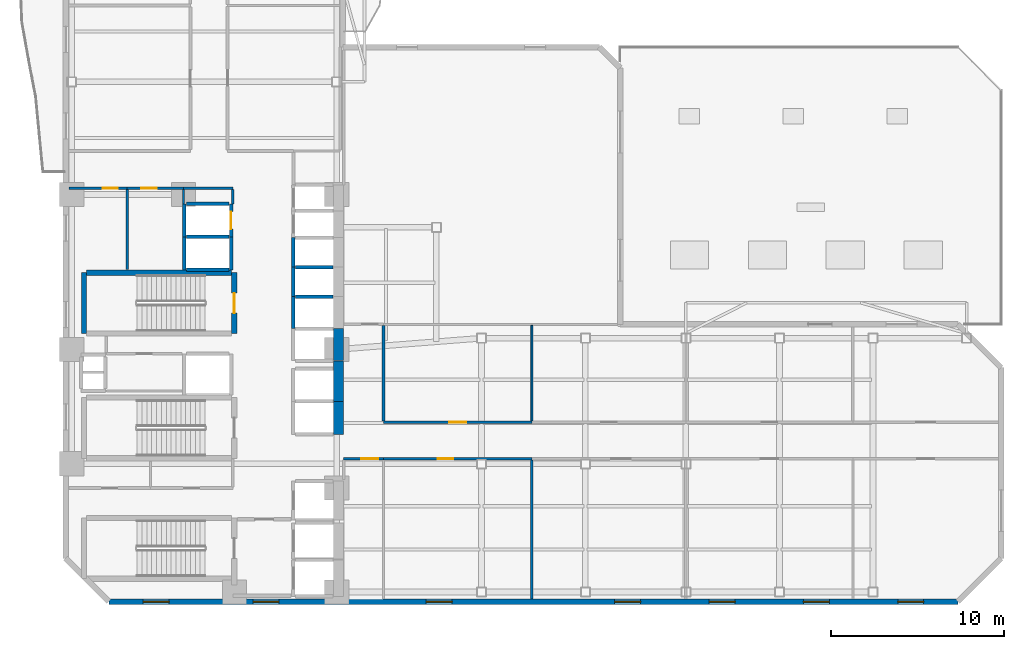
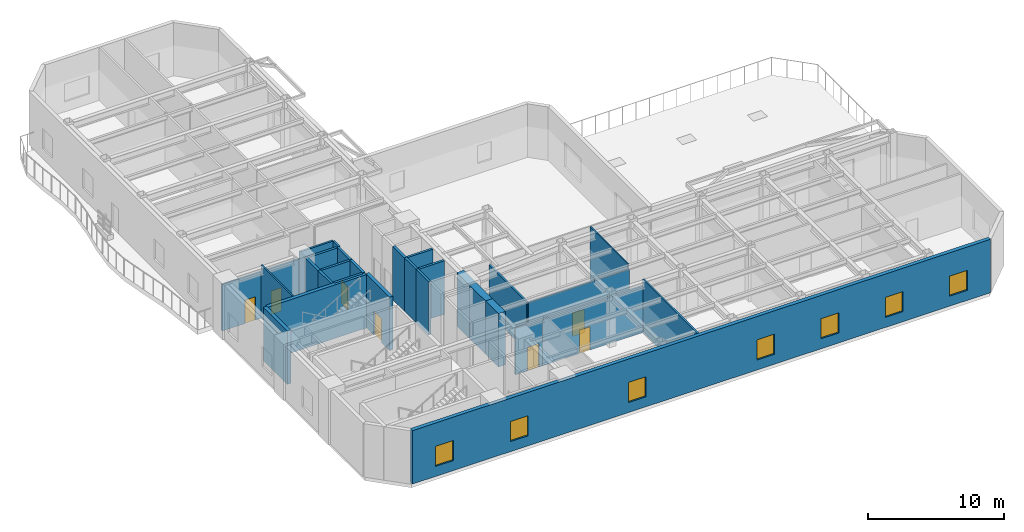
# One storey, part 4 of 10: 31 walls, 7 doors, 7 windows, 14 openings.
"""IFC4 building model written with IfcOpenShell, lengths in metres."""

from ifc_helpers import new_model, si_unit, direction, frame, frame_2d, origin, place, context, subcontext, project, spatial, rectangle, extrude, material, layer, layer_set, type_object, element, fill, save


model = new_model("IFC4")

# Units and contexts
model_context = context("Model", 3, precision=1e-05, world=origin(), true_north=direction((0.0, 1.0)))
body_context = subcontext(model_context, "Body", "Model", "MODEL_VIEW")
ifc_project = project(units=[si_unit("LENGTHUNIT", "METRE"), si_unit("AREAUNIT", "SQUARE_METRE"), si_unit("VOLUMEUNIT", "CUBIC_METRE"), si_unit("PLANEANGLEUNIT", "RADIAN"), si_unit("MASSUNIT", "GRAM", prefix="KILO")], contexts=[model_context])

# Site, building, storey
site_placement = place(None, origin())
site = spatial("IfcSite", under=ifc_project, at=site_placement, CompositionType="ELEMENT")
building_placement = place(site_placement, origin())
building = spatial("IfcBuilding", under=site, at=building_placement, Name="Mawjaban Terraces University", CompositionType="ELEMENT")
storey_placement = place(building_placement, frame((0.0, 0.0, 26.0)))
storey = spatial("IfcBuildingStorey", under=building, at=storey_placement, Name="L05", CompositionType="ELEMENT", Elevation=26.0)

# Walls
ifc_material_1 = material(Name="Concrete C70/85", Category="concrete")
ifc_layer_1 = layer(ifc_material_1, 0.60009765625)
ifc_layer_set_1 = layer_set([ifc_layer_1], Name="Concrete C70/85")
wall_type_1 = type_object("IfcWallType", Name="CoreShearWall_600", PredefinedType="SHEAR", material=ifc_layer_set_1)
wall_1_placement = place(storey_placement, frame((37.75, 9.64990234375, 0.0), z_axis=(0.0, 0.0, 1.0), x_axis=(0.0, 1.0, 0.0)))
element("IfcWall", 1, at=wall_1_placement, inside=storey, type_object=wall_type_1, Name="L05 Lift PL-H1 Hoistway Wall East", PredefinedType="SHEAR", context=body_context, shape_type="SweptSolid", body=[
    extrude(rectangle(XDim=1.900146484375, YDim=0.60009765625, at=frame_2d((0.9501953125, 0.0))), origin(), (0.0, 0.0, 1.0), 4.7900390625),
])
wall_2_placement = place(storey_placement, frame((37.75, 11.550048828125, 0.0), z_axis=(0.0, 0.0, 1.0), x_axis=(0.0, 1.0, 0.0)))
element("IfcWall", 2, at=wall_2_placement, inside=storey, type_object=wall_type_1, Name="L05 Lift PL-H2 Hoistway Wall East", PredefinedType="SHEAR", context=body_context, shape_type="SweptSolid", body=[
    extrude(rectangle(XDim=2.349853515625, YDim=0.60009765625, at=frame_2d((1.1748046875, 0.0))), origin(), (0.0, 0.0, 1.0), 4.7900390625),
])
wall_3_placement = place(storey_placement, frame((37.75, 13.89990234375, 0.0), z_axis=(0.0, 0.0, 1.0), x_axis=(0.0, 1.0, 0.0)))
element("IfcWall", 3, at=wall_3_placement, inside=storey, type_object=wall_type_1, Name="L05 Lift OL-1 Hoistway Wall East", PredefinedType="SHEAR", context=body_context, shape_type="SweptSolid", body=[
    extrude(rectangle(XDim=1.85009765625, YDim=0.60009765625, at=frame_2d((0.925048828125, 0.0))), origin(), (0.0, 0.0, 1.0), 4.7900390625),
])

# Wall, opening, door
ifc_material_2 = material(Name="Fire-rated gypsum board on steel stud", Category="steel")
ifc_layer_2 = layer(ifc_material_2, 0.159912109375)
ifc_layer_set_2 = layer_set([ifc_layer_2], Name="Fire-rated gypsum board on steel stud")
wall_type_2 = type_object("IfcWallType", Name="CorridorPartition_160", PredefinedType="PARTITIONING", material=ifc_layer_set_2)
wall_4_placement = place(storey_placement, frame((25.550048828125, 23.85009765625, 0.0), z_axis=(0.0, 0.0, 1.0), x_axis=(-1.0, 0.0, 0.0)))
wall_4 = element("IfcWall", 4, at=wall_4_placement, inside=storey, type_object=wall_type_2, Name="L05 Female Toilet Partition 3", PredefinedType="PARTITIONING", context=body_context, shape_type="SweptSolid", body=[
    extrude(rectangle(XDim=3.35009765625, YDim=0.159912109375, at=frame_2d((1.675048828125, 0.0))), origin(), (0.0, 0.0, 1.0), 4.155029296875),
])
opening_1_placement = place(wall_4_placement, frame((0.534912109375, 0.0, 0.0)))
opening_1 = element("IfcOpeningElement", 5, at=opening_1_placement, cuts=wall_4, Name="Opening ID-088", PredefinedType="OPENING", context=body_context, shape_type="SweptSolid", body=[
    extrude(rectangle(XDim=0.8798828125, YDim=2.10009765625, at=frame_2d((0.43994140625, 1.050048828125))), frame((0.0, 0.08984375, 0.0), z_axis=(0.0, -1.0, 0.0), x_axis=(1.0, 0.0, 0.0)), (0.0, 0.0, 1.0), 0.179931640625),
])
ifc_material_3 = material(Name="Powder-coated steel frame and solid acoustic timber leaf", Category="steel")
door_type_1 = type_object("IfcDoorType", Name="ToiletDoor_880x2100", OperationType="NOTDEFINED", PredefinedType="DOOR", material=ifc_material_3)
door_1_placement = place(opening_1_placement, origin())
door_1 = element("IfcDoor", 6, at=door_1_placement, inside=storey, type_object=door_type_1, Name="L05 Female Toilet Door", OperationType="SINGLE_SWING_RIGHT", OverallHeight=2.10009765625, OverallWidth=0.8798828125, PredefinedType="DOOR", context=body_context, shape_type="SweptSolid", body=[
    extrude(rectangle(XDim=0.8798828125, YDim=2.10009765625, at=frame_2d((0.43994140625, 1.050048828125))), frame((0.0, 0.02490234375, 0.0), z_axis=(0.0, -1.0, 0.0), x_axis=(1.0, 0.0, 0.0)), (0.0, 0.0, 1.0), 0.050048828125),
])
fill(opening_1, door_1)

wall_5_placement = place(storey_placement, frame((28.800048828125, 23.85009765625, 0.0), z_axis=(0.0, 0.0, 1.0), x_axis=(-1.0, 0.0, 0.0)))
wall_5 = element("IfcWall", 7, at=wall_5_placement, inside=storey, type_object=wall_type_2, Name="L05 Staff Tea Pantry Partition 5", PredefinedType="PARTITIONING", context=body_context, shape_type="SweptSolid", body=[
    extrude(rectangle(XDim=3.25, YDim=0.159912109375, at=frame_2d((1.625, 0.0))), origin(), (0.0, 0.0, 1.0), 4.155029296875),
])
opening_2_placement = place(wall_5_placement, frame((1.52490234375, 0.0, 0.0)))
opening_2 = element("IfcOpeningElement", 8, at=opening_2_placement, cuts=wall_5, Name="Opening ID-090", PredefinedType="OPENING", context=body_context, shape_type="SweptSolid", body=[
    extrude(rectangle(XDim=0.89990234375, YDim=2.10009765625, at=frame_2d((0.449951171875, 1.050048828125))), frame((0.0, 0.08984375, 0.0), z_axis=(0.0, -1.0, 0.0), x_axis=(1.0, 0.0, 0.0)), (0.0, 0.0, 1.0), 0.179931640625),
])
door_type_2 = type_object("IfcDoorType", Name="OfficeDoor_900x2100", OperationType="NOTDEFINED", PredefinedType="DOOR", material=ifc_material_3)
door_2_placement = place(opening_2_placement, origin())
door_2 = element("IfcDoor", 9, at=door_2_placement, inside=storey, type_object=door_type_2, Name="L05 Staff Tea Pantry Door", OperationType="SINGLE_SWING_LEFT", OverallHeight=2.10009765625, OverallWidth=0.89990234375, PredefinedType="DOOR", context=body_context, shape_type="SweptSolid", body=[
    extrude(rectangle(XDim=0.89990234375, YDim=2.10009765625, at=frame_2d((0.449951171875, 1.050048828125))), frame((0.0, 0.02490234375, 0.0), z_axis=(0.0, -1.0, 0.0), x_axis=(1.0, 0.0, 0.0)), (0.0, 0.0, 1.0), 0.050048828125),
])
fill(opening_2, door_2)

# Wall
wall_6_placement = place(storey_placement, frame((28.800048828125, 23.85009765625, 0.0), z_axis=(0.0, 0.0, 1.0), x_axis=(1.0, 0.0, 0.0)))
element("IfcWall", 10, at=wall_6_placement, inside=storey, type_object=wall_type_2, Name="L05 North Core Cross-Corridor Partition 6", PredefinedType="PARTITIONING", context=body_context, shape_type="SweptSolid", body=[
    extrude(rectangle(XDim=2.849853515625, YDim=0.159912109375, at=frame_2d((1.4248046875, 0.0))), origin(), (0.0, 0.0, 1.0), 4.7900390625),
])

# Wall, opening, door
wall_7_placement = place(storey_placement, frame((38.050048828125, 8.25, 0.0), z_axis=(0.0, 0.0, 1.0), x_axis=(1.0, 0.0, 0.0)))
wall_7 = element("IfcWall", 11, at=wall_7_placement, inside=storey, type_object=wall_type_2, Name="L05 East Academic Corridor Vestibule Partition 17", PredefinedType="PARTITIONING", context=body_context, shape_type="SweptSolid", body=[
    extrude(rectangle(XDim=2.300048828125, YDim=0.159912109375, at=frame_2d((1.14990234375, 0.0))), origin(), (0.0, 0.0, 1.0), 4.155029296875),
])
opening_3_placement = place(wall_7_placement, frame((1.0, 0.0, 0.0)))
opening_3 = element("IfcOpeningElement", 12, at=opening_3_placement, cuts=wall_7, Name="Opening ID-100", PredefinedType="OPENING", context=body_context, shape_type="SweptSolid", body=[
    extrude(rectangle(XDim=1.0, YDim=2.10009765625, at=frame_2d((0.5, 1.050048828125))), frame((0.0, 0.08984375, 0.0), z_axis=(0.0, -1.0, 0.0), x_axis=(1.0, 0.0, 0.0)), (0.0, 0.0, 1.0), 0.179931640625),
])
door_type_3 = type_object("IfcDoorType", Name="ClassroomDoor_1000x2100", OperationType="NOTDEFINED", PredefinedType="DOOR", material=ifc_material_3)
door_3_placement = place(opening_3_placement, origin())
door_3 = element("IfcDoor", 13, at=door_3_placement, inside=storey, type_object=door_type_3, Name="L05 Classroom 1 Door", OperationType="SINGLE_SWING_RIGHT", OverallHeight=2.10009765625, OverallWidth=1.0, PredefinedType="DOOR", context=body_context, shape_type="SweptSolid", body=[
    extrude(rectangle(XDim=1.0, YDim=2.10009765625, at=frame_2d((0.5, 1.050048828125))), frame((0.0, 0.02490234375, 0.0), z_axis=(0.0, -1.0, 0.0), x_axis=(1.0, 0.0, 0.0)), (0.0, 0.0, 1.0), 0.050048828125),
])
fill(opening_3, door_3)

wall_8_placement = place(storey_placement, frame((40.35009765625, 8.25, 0.0), z_axis=(0.0, 0.0, 1.0), x_axis=(1.0, 0.0, 0.0)))
wall_8 = element("IfcWall", 14, at=wall_8_placement, inside=storey, type_object=wall_type_2, Name="L05 East Academic Spine Corridor Partition 18", PredefinedType="PARTITIONING", context=body_context, shape_type="SweptSolid", body=[
    extrude(rectangle(XDim=8.559814453125, YDim=0.159912109375, at=frame_2d((4.27978515625, 0.0))), origin(), (0.0, 0.0, 1.0), 4.155029296875),
])
opening_4_placement = place(wall_8_placement, frame((3.1298828125, 0.0, 0.0)))
opening_4 = element("IfcOpeningElement", 15, at=opening_4_placement, cuts=wall_8, Name="Opening ID-090", PredefinedType="OPENING", context=body_context, shape_type="SweptSolid", body=[
    extrude(rectangle(XDim=0.89990234375, YDim=2.10009765625, at=frame_2d((0.449951171875, 1.050048828125))), frame((0.0, 0.08984375, 0.0), z_axis=(0.0, -1.0, 0.0), x_axis=(1.0, 0.0, 0.0)), (0.0, 0.0, 1.0), 0.179931640625),
])
door_4_placement = place(opening_4_placement, origin())
door_4 = element("IfcDoor", 16, at=door_4_placement, inside=storey, type_object=door_type_2, Name="L05 Seminar Room 2 Door", OperationType="SINGLE_SWING_LEFT", OverallHeight=2.10009765625, OverallWidth=0.89990234375, PredefinedType="DOOR", context=body_context, shape_type="SweptSolid", body=[
    extrude(rectangle(XDim=0.89990234375, YDim=2.10009765625, at=frame_2d((0.449951171875, 1.050048828125))), frame((0.0, 0.02490234375, 0.0), z_axis=(0.0, -1.0, 0.0), x_axis=(1.0, 0.0, 0.0)), (0.0, 0.0, 1.0), 0.050048828125),
])
fill(opening_4, door_4)

wall_9_placement = place(storey_placement, frame((48.909912109375, 10.35009765625, 0.0), z_axis=(0.0, 0.0, 1.0), x_axis=(-1.0, 0.0, 0.0)))
wall_9 = element("IfcWall", 17, at=wall_9_placement, inside=storey, type_object=wall_type_2, Name="L05 East Academic Spine Corridor Partition 21", PredefinedType="PARTITIONING", context=body_context, shape_type="SweptSolid", body=[
    extrude(rectangle(XDim=8.559814453125, YDim=0.159912109375, at=frame_2d((4.27978515625, 0.0))), origin(), (0.0, 0.0, 1.0), 4.376953125),
])
opening_5_placement = place(wall_9_placement, frame((3.780029296875, 0.0, 0.0)))
opening_5 = element("IfcOpeningElement", 18, at=opening_5_placement, cuts=wall_9, Name="Opening ID-100", PredefinedType="OPENING", context=body_context, shape_type="SweptSolid", body=[
    extrude(rectangle(XDim=1.0, YDim=2.10009765625, at=frame_2d((0.5, 1.050048828125))), frame((0.0, 0.08984375, 0.0), z_axis=(0.0, -1.0, 0.0), x_axis=(1.0, 0.0, 0.0)), (0.0, 0.0, 1.0), 0.179931640625),
])
door_5_placement = place(opening_5_placement, origin())
door_5 = element("IfcDoor", 19, at=door_5_placement, inside=storey, type_object=door_type_3, Name="L05 Classroom 3 Door", OperationType="SINGLE_SWING_RIGHT", OverallHeight=2.10009765625, OverallWidth=1.0, PredefinedType="DOOR", context=body_context, shape_type="SweptSolid", body=[
    extrude(rectangle(XDim=1.0, YDim=2.10009765625, at=frame_2d((0.5, 1.050048828125))), frame((0.0, 0.02490234375, 0.0), z_axis=(0.0, -1.0, 0.0), x_axis=(1.0, 0.0, 0.0)), (0.0, 0.0, 1.0), 0.050048828125),
])
fill(opening_5, door_5)

# Walls
wall_10_placement = place(storey_placement, frame((31.64990234375, 23.77490234375, 0.0), z_axis=(0.0, 0.0, 1.0), x_axis=(0.0, -1.0, 0.0)))
element("IfcWall", 20, at=wall_10_placement, inside=storey, type_object=wall_type_2, Name="L05 Passenger Lift Lobby Partition 40", PredefinedType="PARTITIONING", context=body_context, shape_type="SweptSolid", body=[
    extrude(rectangle(XDim=0.824951171875, YDim=0.159912109375, at=frame_2d((0.41259765625, 0.0))), origin(), (0.0, 0.0, 1.0), 4.7900390625),
])
wall_11_placement = place(storey_placement, frame((40.35009765625, 10.425048828125, 0.0), z_axis=(0.0, 0.0, 1.0), x_axis=(0.0, 1.0, 0.0)))
element("IfcWall", 21, at=wall_11_placement, inside=storey, type_object=wall_type_2, Name="L05 East Academic Corridor Vestibule Partition 46", PredefinedType="PARTITIONING", context=body_context, shape_type="SweptSolid", body=[
    extrude(rectangle(XDim=5.5, YDim=0.159912109375, at=frame_2d((2.75, 0.0))), origin(), (0.0, 0.0, 1.0), 4.376953125),
])

# Wall, openings, windows
ifc_material_4 = material(Name="Insulated terracotta rainscreen on concrete backup C40/50", Category="masonry")
ifc_layer_3 = layer(ifc_material_4, 0.320068359375)
ifc_layer_set_3 = layer_set([ifc_layer_3], Name="Insulated terracotta rainscreen on concrete backup C40/50")
wall_type_3 = type_object("IfcWallType", Name="ExtTerracottaWall_320", PredefinedType="SOLIDWALL", material=ifc_layer_set_3)
wall_12_placement = place(storey_placement, frame((24.5, 0.0, 0.0), z_axis=(0.0, 0.0, 1.0), x_axis=(1.0, 0.0, 0.0)))
wall_12 = element("IfcWall", 22, at=wall_12_placement, inside=storey, type_object=wall_type_3, Name="L05 Exterior Terracotta Wall 1", PredefinedType="SOLIDWALL", context=body_context, shape_type="SweptSolid", body=[
    extrude(rectangle(XDim=49.0, YDim=0.320068359375, at=frame_2d((24.5, 0.0))), origin(), (0.0, 0.0, 1.0), 4.7900390625),
])
opening_6_placement = place(wall_12_placement, frame((1.971923828125, 0.0, 0.89990234375)))
opening_6 = element("IfcOpeningElement", 23, at=opening_6_placement, cuts=wall_12, Name="Opening W-06", PredefinedType="OPENING", context=body_context, shape_type="SweptSolid", body=[
    extrude(rectangle(XDim=1.5, YDim=1.800048828125, at=frame_2d((0.75, 0.89990234375))), frame((0.0, 0.169921875, 0.0), z_axis=(0.0, -1.0, 0.0), x_axis=(1.0, 0.0, 0.0)), (0.0, 0.0, 1.0), 0.340087890625),
])
opening_7_placement = place(wall_12_placement, frame((8.31689453125, 0.0, 0.89990234375)))
opening_7 = element("IfcOpeningElement", 24, at=opening_7_placement, cuts=wall_12, Name="Opening W-06", PredefinedType="OPENING", context=body_context, shape_type="SweptSolid", body=[
    extrude(rectangle(XDim=1.5, YDim=1.800048828125, at=frame_2d((0.75, 0.89990234375))), frame((0.0, 0.169921875, 0.0), z_axis=(0.0, -1.0, 0.0), x_axis=(1.0, 0.0, 0.0)), (0.0, 0.0, 1.0), 0.340087890625),
])
opening_8_placement = place(wall_12_placement, frame((18.305908203125, 0.0, 0.89990234375)))
opening_8 = element("IfcOpeningElement", 25, at=opening_8_placement, cuts=wall_12, Name="Opening W-06", PredefinedType="OPENING", context=body_context, shape_type="SweptSolid", body=[
    extrude(rectangle(XDim=1.5, YDim=1.800048828125, at=frame_2d((0.75, 0.89990234375))), frame((0.0, 0.169921875, 0.0), z_axis=(0.0, -1.0, 0.0), x_axis=(1.0, 0.0, 0.0)), (0.0, 0.0, 1.0), 0.340087890625),
])
opening_9_placement = place(wall_12_placement, frame((29.194091796875, 0.0, 0.89990234375)))
opening_9 = element("IfcOpeningElement", 26, at=opening_9_placement, cuts=wall_12, Name="Opening W-06", PredefinedType="OPENING", context=body_context, shape_type="SweptSolid", body=[
    extrude(rectangle(XDim=1.5, YDim=1.800048828125, at=frame_2d((0.75, 0.89990234375))), frame((0.0, 0.169921875, 0.0), z_axis=(0.0, -1.0, 0.0), x_axis=(1.0, 0.0, 0.0)), (0.0, 0.0, 1.0), 0.340087890625),
])
opening_10_placement = place(wall_12_placement, frame((34.638916015625, 0.0, 0.89990234375)))
opening_10 = element("IfcOpeningElement", 27, at=opening_10_placement, cuts=wall_12, Name="Opening W-06", PredefinedType="OPENING", context=body_context, shape_type="SweptSolid", body=[
    extrude(rectangle(XDim=1.5, YDim=1.800048828125, at=frame_2d((0.75, 0.89990234375))), frame((0.0, 0.169921875, 0.0), z_axis=(0.0, -1.0, 0.0), x_axis=(1.0, 0.0, 0.0)), (0.0, 0.0, 1.0), 0.340087890625),
])
opening_11_placement = place(wall_12_placement, frame((40.0830078125, 0.0, 0.89990234375)))
opening_11 = element("IfcOpeningElement", 28, at=opening_11_placement, cuts=wall_12, Name="Opening W-06", PredefinedType="OPENING", context=body_context, shape_type="SweptSolid", body=[
    extrude(rectangle(XDim=1.5, YDim=1.800048828125, at=frame_2d((0.75, 0.89990234375))), frame((0.0, 0.169921875, 0.0), z_axis=(0.0, -1.0, 0.0), x_axis=(1.0, 0.0, 0.0)), (0.0, 0.0, 1.0), 0.340087890625),
])
opening_12_placement = place(wall_12_placement, frame((45.528076171875, 0.0, 0.89990234375)))
opening_12 = element("IfcOpeningElement", 29, at=opening_12_placement, cuts=wall_12, Name="Opening W-06", PredefinedType="OPENING", context=body_context, shape_type="SweptSolid", body=[
    extrude(rectangle(XDim=1.5, YDim=1.800048828125, at=frame_2d((0.75, 0.89990234375))), frame((0.0, 0.169921875, 0.0), z_axis=(0.0, -1.0, 0.0), x_axis=(1.0, 0.0, 0.0)), (0.0, 0.0, 1.0), 0.340087890625),
])
ifc_material_5 = material(Name="Low-E solar-control double glazing in thermally broken aluminium frame", Category="aluminium")
window_type = type_object("IfcWindowType", Name="Win_1500x1800", PartitioningType="SINGLE_PANEL", PredefinedType="WINDOW", material=ifc_material_5)
window_1_placement = place(opening_6_placement, origin())
window_1 = element("IfcWindow", 30, at=window_1_placement, inside=storey, type_object=window_type, Name="L05 Facade Window 1.1", OverallHeight=1.800048828125, OverallWidth=1.5, PartitioningType="SINGLE_PANEL", PredefinedType="WINDOW", context=body_context, shape_type="SweptSolid", body=[
    extrude(rectangle(XDim=1.5, YDim=1.800048828125, at=frame_2d((0.75, 0.89990234375))), frame((0.0, 0.030029296875, 0.0), z_axis=(0.0, -1.0, 0.0), x_axis=(1.0, 0.0, 0.0)), (0.0, 0.0, 1.0), 0.06005859375),
])
fill(opening_6, window_1)
window_2_placement = place(opening_7_placement, origin())
window_2 = element("IfcWindow", 31, at=window_2_placement, inside=storey, type_object=window_type, Name="L05 Facade Window 1.2", OverallHeight=1.800048828125, OverallWidth=1.5, PartitioningType="SINGLE_PANEL", PredefinedType="WINDOW", context=body_context, shape_type="SweptSolid", body=[
    extrude(rectangle(XDim=1.5, YDim=1.800048828125, at=frame_2d((0.75, 0.89990234375))), frame((0.0, 0.030029296875, 0.0), z_axis=(0.0, -1.0, 0.0), x_axis=(1.0, 0.0, 0.0)), (0.0, 0.0, 1.0), 0.06005859375),
])
fill(opening_7, window_2)
window_3_placement = place(opening_8_placement, origin())
window_3 = element("IfcWindow", 32, at=window_3_placement, inside=storey, type_object=window_type, Name="L05 Facade Window 1.4", OverallHeight=1.800048828125, OverallWidth=1.5, PartitioningType="SINGLE_PANEL", PredefinedType="WINDOW", context=body_context, shape_type="SweptSolid", body=[
    extrude(rectangle(XDim=1.5, YDim=1.800048828125, at=frame_2d((0.75, 0.89990234375))), frame((0.0, 0.030029296875, 0.0), z_axis=(0.0, -1.0, 0.0), x_axis=(1.0, 0.0, 0.0)), (0.0, 0.0, 1.0), 0.06005859375),
])
fill(opening_8, window_3)
window_4_placement = place(opening_9_placement, origin())
window_4 = element("IfcWindow", 33, at=window_4_placement, inside=storey, type_object=window_type, Name="L05 Facade Window 1.6", OverallHeight=1.800048828125, OverallWidth=1.5, PartitioningType="SINGLE_PANEL", PredefinedType="WINDOW", context=body_context, shape_type="SweptSolid", body=[
    extrude(rectangle(XDim=1.5, YDim=1.800048828125, at=frame_2d((0.75, 0.89990234375))), frame((0.0, 0.030029296875, 0.0), z_axis=(0.0, -1.0, 0.0), x_axis=(1.0, 0.0, 0.0)), (0.0, 0.0, 1.0), 0.06005859375),
])
fill(opening_9, window_4)
window_5_placement = place(opening_10_placement, origin())
window_5 = element("IfcWindow", 34, at=window_5_placement, inside=storey, type_object=window_type, Name="L05 Facade Window 1.7", OverallHeight=1.800048828125, OverallWidth=1.5, PartitioningType="SINGLE_PANEL", PredefinedType="WINDOW", context=body_context, shape_type="SweptSolid", body=[
    extrude(rectangle(XDim=1.5, YDim=1.800048828125, at=frame_2d((0.75, 0.89990234375))), frame((0.0, 0.030029296875, 0.0), z_axis=(0.0, -1.0, 0.0), x_axis=(1.0, 0.0, 0.0)), (0.0, 0.0, 1.0), 0.06005859375),
])
fill(opening_10, window_5)
window_6_placement = place(opening_11_placement, origin())
window_6 = element("IfcWindow", 35, at=window_6_placement, inside=storey, type_object=window_type, Name="L05 Facade Window 1.8", OverallHeight=1.800048828125, OverallWidth=1.5, PartitioningType="SINGLE_PANEL", PredefinedType="WINDOW", context=body_context, shape_type="SweptSolid", body=[
    extrude(rectangle(XDim=1.5, YDim=1.800048828125, at=frame_2d((0.75, 0.89990234375))), frame((0.0, 0.030029296875, 0.0), z_axis=(0.0, -1.0, 0.0), x_axis=(1.0, 0.0, 0.0)), (0.0, 0.0, 1.0), 0.06005859375),
])
fill(opening_11, window_6)
window_7_placement = place(opening_12_placement, origin())
window_7 = element("IfcWindow", 36, at=window_7_placement, inside=storey, type_object=window_type, Name="L05 Facade Window 1.9", OverallHeight=1.800048828125, OverallWidth=1.5, PartitioningType="SINGLE_PANEL", PredefinedType="WINDOW", context=body_context, shape_type="SweptSolid", body=[
    extrude(rectangle(XDim=1.5, YDim=1.800048828125, at=frame_2d((0.75, 0.89990234375))), frame((0.0, 0.030029296875, 0.0), z_axis=(0.0, -1.0, 0.0), x_axis=(1.0, 0.0, 0.0)), (0.0, 0.0, 1.0), 0.06005859375),
])
fill(opening_12, window_7)

# Walls
ifc_material_6 = material(Name="Concrete C40/50", Category="concrete")
ifc_layer_4 = layer(ifc_material_6, 0.199951171875)
ifc_layer_set_4 = layer_set([ifc_layer_4], Name="Concrete C40/50")
wall_type_4 = type_object("IfcWallType", Name="FireLobbyWall_200", PredefinedType="SOLIDWALL", material=ifc_layer_set_4)
wall_13_placement = place(storey_placement, frame((35.14990234375, 17.60009765625, 0.0), z_axis=(0.0, 0.0, 1.0), x_axis=(0.0, -1.0, 0.0)))
element("IfcWall", 37, at=wall_13_placement, inside=storey, type_object=wall_type_4, Name="L05 Lift OL-2 Hoistway Wall West", PredefinedType="SOLIDWALL", context=body_context, shape_type="SweptSolid", body=[
    extrude(rectangle(XDim=1.85009765625, YDim=0.199951171875, at=frame_2d((0.925048828125, 0.0))), origin(), (0.0, 0.0, 1.0), 4.7900390625),
])
wall_14_placement = place(storey_placement, frame((37.419921875, 17.60009765625, 0.0), z_axis=(0.0, 0.0, 1.0), x_axis=(-1.0, 0.0, 0.0)))
element("IfcWall", 38, at=wall_14_placement, inside=storey, type_object=wall_type_4, Name="L05 Lift OL-2 Hoistway Wall North", PredefinedType="SOLIDWALL", context=body_context, shape_type="SweptSolid", body=[
    extrude(rectangle(XDim=2.139892578125, YDim=0.199951171875, at=frame_2d((1.06982421875, 0.0))), origin(), (0.0, 0.0, 1.0), 4.7900390625),
])
wall_15_placement = place(storey_placement, frame((35.14990234375, 19.300048828125, 0.0), z_axis=(0.0, 0.0, 1.0), x_axis=(0.0, -1.0, 0.0)))
element("IfcWall", 39, at=wall_15_placement, inside=storey, type_object=wall_type_4, Name="L05 Lift PL-M1 Hoistway Wall West", PredefinedType="SOLIDWALL", context=body_context, shape_type="SweptSolid", body=[
    extrude(rectangle(XDim=1.699951171875, YDim=0.199951171875, at=frame_2d((0.85009765625, 0.0))), origin(), (0.0, 0.0, 1.0), 4.7900390625),
])
wall_16_placement = place(storey_placement, frame((37.419921875, 19.300048828125, 0.0), z_axis=(0.0, 0.0, 1.0), x_axis=(-1.0, 0.0, 0.0)))
element("IfcWall", 40, at=wall_16_placement, inside=storey, type_object=wall_type_4, Name="L05 Lift PL-M1 Hoistway Wall North", PredefinedType="SOLIDWALL", context=body_context, shape_type="SweptSolid", body=[
    extrude(rectangle(XDim=2.139892578125, YDim=0.199951171875, at=frame_2d((1.06982421875, 0.0))), origin(), (0.0, 0.0, 1.0), 4.7900390625),
])
wall_17_placement = place(storey_placement, frame((35.14990234375, 21.0, 0.0), z_axis=(0.0, 0.0, 1.0), x_axis=(0.0, -1.0, 0.0)))
element("IfcWall", 41, at=wall_17_placement, inside=storey, type_object=wall_type_4, Name="L05 Lift PL-M2 Hoistway Wall West", PredefinedType="SOLIDWALL", context=body_context, shape_type="SweptSolid", body=[
    extrude(rectangle(XDim=1.699951171875, YDim=0.199951171875, at=frame_2d((0.85009765625, 0.0))), origin(), (0.0, 0.0, 1.0), 4.7900390625),
])
for number, where, z_axis, x_axis, name in (
    (42, (28.85009765625, 21.050048828125, 0.0), (0.0, 0.0, 1.0), (0.0, -1.0, 0.0), "L05 Lift PL-M3 Hoistway Wall West"),
    (43, (31.550048828125, 19.14990234375, 0.0), (0.0, 0.0, 1.0), (0.0, 1.0, 0.0), "L05 Lift PL-M3 Hoistway Wall East"),
):
    element("IfcWall", number, at=place(storey_placement, frame(where, z_axis=z_axis, x_axis=x_axis)), inside=storey, type_object=wall_type_4, Name=name, PredefinedType="SOLIDWALL", context=body_context, shape_type="SweptSolid", body=[
        extrude(rectangle(XDim=1.900146484375, YDim=0.199951171875, at=frame_2d((0.9501953125, 0.0))), origin(), (0.0, 0.0, 1.0), 4.7900390625),
    ])
for number, where, z_axis, x_axis, name in (
    (44, (28.97998046875, 19.14990234375, 0.0), (0.0, 0.0, 1.0), (1.0, 0.0, 0.0), "L05 Lift PL-M3 Hoistway Wall South"),
    (45, (31.419921875, 21.050048828125, 0.0), (0.0, 0.0, 1.0), (-1.0, 0.0, 0.0), "L05 Lift PL-M3 Hoistway Wall North"),
):
    element("IfcWall", number, at=place(storey_placement, frame(where, z_axis=z_axis, x_axis=x_axis)), inside=storey, type_object=wall_type_4, Name=name, PredefinedType="SOLIDWALL", context=body_context, shape_type="SweptSolid", body=[
        extrude(rectangle(XDim=2.43994140625, YDim=0.199951171875, at=frame_2d((1.219970703125, 0.0))), origin(), (0.0, 0.0, 1.0), 4.7900390625),
    ])
wall_18_placement = place(storey_placement, frame((28.85009765625, 22.949951171875, 0.0), z_axis=(0.0, 0.0, 1.0), x_axis=(0.0, -1.0, 0.0)))
element("IfcWall", 46, at=wall_18_placement, inside=storey, type_object=wall_type_4, Name="L05 Lift PL-L3 Hoistway Wall West", PredefinedType="SOLIDWALL", context=body_context, shape_type="SweptSolid", body=[
    extrude(rectangle(XDim=1.89990234375, YDim=0.199951171875, at=frame_2d((0.949951171875, 0.0))), origin(), (0.0, 0.0, 1.0), 4.7900390625),
])

# Wall, opening, door
wall_19_placement = place(storey_placement, frame((31.550048828125, 21.050048828125, 0.0), z_axis=(0.0, 0.0, 1.0), x_axis=(0.0, 1.0, 0.0)))
wall_19 = element("IfcWall", 47, at=wall_19_placement, inside=storey, type_object=wall_type_4, Name="L05 Lift PL-L3 Hoistway Wall East", PredefinedType="SOLIDWALL", context=body_context, shape_type="SweptSolid", body=[
    extrude(rectangle(XDim=1.89990234375, YDim=0.199951171875, at=frame_2d((0.949951171875, 0.0))), origin(), (0.0, 0.0, 1.0), 4.7900390625),
])
opening_13_placement = place(wall_19_placement, frame((0.449951171875, 0.0, 0.0)))
opening_13 = element("IfcOpeningElement", 48, at=opening_13_placement, cuts=wall_19, Name="Opening LD-PL-L3", PredefinedType="OPENING", context=body_context, shape_type="SweptSolid", body=[
    extrude(rectangle(XDim=1.0, YDim=2.10009765625, at=frame_2d((0.5, 1.050048828125))), frame((0.0, 0.10986328125, 0.0), z_axis=(0.0, -1.0, 0.0), x_axis=(1.0, 0.0, 0.0)), (0.0, 0.0, 1.0), 0.219970703125),
])
ifc_material_7 = material(Name="Powder-coated steel frame and fire-rated steel-faced leaf", Category="steel")
door_type_4 = type_object("IfcDoorType", Name="LiftLandingSliding_1000x2100", OperationType="NOTDEFINED", PredefinedType="DOOR", material=ifc_material_7)
door_6_placement = place(opening_13_placement, origin())
door_6 = element("IfcDoor", 49, at=door_6_placement, inside=storey, type_object=door_type_4, Name="L05 Lift PL-L3 Sliding Landing Door", OperationType="DOUBLE_DOOR_SLIDING", OverallHeight=2.10009765625, OverallWidth=1.0, PredefinedType="DOOR", context=body_context, shape_type="SweptSolid", body=[
    extrude(rectangle(XDim=1.0, YDim=2.10009765625, at=frame_2d((0.5, 1.050048828125))), frame((0.0, 0.02490234375, 0.0), z_axis=(0.0, -1.0, 0.0), x_axis=(1.0, 0.0, 0.0)), (0.0, 0.0, 1.0), 0.050048828125),
])
fill(opening_13, door_6)

# Walls
wall_20_placement = place(storey_placement, frame((31.429931640625, 22.949951171875, 0.0), z_axis=(0.0, 0.0, 1.0), x_axis=(-1.0, 0.0, 0.0)))
element("IfcWall", 50, at=wall_20_placement, inside=storey, type_object=wall_type_4, Name="L05 Lift PL-L3 Hoistway Wall North", PredefinedType="SOLIDWALL", context=body_context, shape_type="SweptSolid", body=[
    extrude(rectangle(XDim=2.4599609375, YDim=0.199951171875, at=frame_2d((1.22998046875, 0.0))), origin(), (0.0, 0.0, 1.0), 4.7900390625),
])
ifc_material_8 = material(Name="Moisture-resistant gypsum board on steel stud", Category="steel")
ifc_layer_5 = layer(ifc_material_8, 0.14501953125)
ifc_layer_set_5 = layer_set([ifc_layer_5], Name="Moisture-resistant gypsum board on steel stud")
wall_type_5 = type_object("IfcWallType", Name="LabPartition_145", PredefinedType="PARTITIONING", material=ifc_layer_set_5)
wall_21_placement = place(storey_placement, frame((48.909912109375, 0.155029296875, 0.0), z_axis=(0.0, 0.0, 1.0), x_axis=(0.0, 1.0, 0.0)))
element("IfcWall", 51, at=wall_21_placement, inside=storey, type_object=wall_type_5, Name="L05 Seminar Room 2 Partition 47", PredefinedType="PARTITIONING", context=body_context, shape_type="SweptSolid", body=[
    extrude(rectangle(XDim=8.02001953125, YDim=0.14501953125, at=frame_2d((4.010009765625, 0.0))), origin(), (0.0, 0.0, 1.0), 4.7900390625),
])
ifc_material_9 = material(Name="Gypsum plasterboard on steel stud", Category="steel")
ifc_layer_6 = layer(ifc_material_9, 0.125)
ifc_layer_set_6 = layer_set([ifc_layer_6], Name="Gypsum plasterboard on steel stud")
wall_type_6 = type_object("IfcWallType", Name="OfficePartition_125", PredefinedType="PARTITIONING", material=ifc_layer_set_6)
wall_22_placement = place(storey_placement, frame((28.800048828125, 22.949951171875, 0.0), z_axis=(0.0, 0.0, 1.0), x_axis=(0.0, 1.0, 0.0)))
element("IfcWall", 52, at=wall_22_placement, inside=storey, type_object=wall_type_6, Name="L05 Staff Tea Pantry Partition 32", PredefinedType="PARTITIONING", context=body_context, shape_type="SweptSolid", body=[
    extrude(rectangle(XDim=0.824951171875, YDim=0.125, at=frame_2d((0.41259765625, 0.0))), origin(), (0.0, 0.0, 1.0), 4.7900390625),
])
ifc_material_10 = material(Name="Acoustic operable panel partition", Category="masonry")
ifc_layer_7 = layer(ifc_material_10, 0.110107421875)
ifc_layer_set_7 = layer_set([ifc_layer_7], Name="Acoustic operable panel partition")
wall_type_7 = type_object("IfcWallType", Name="OperableSeminarWall_110", PredefinedType="MOVABLE", material=ifc_layer_set_7)
wall_23_placement = place(storey_placement, frame((48.909912109375, 10.425048828125, 0.0), z_axis=(0.0, 0.0, 1.0), x_axis=(0.0, 1.0, 0.0)))
element("IfcWall", 53, at=wall_23_placement, inside=storey, type_object=wall_type_7, Name="L05 Classroom 3 Partition 48", PredefinedType="MOVABLE", context=body_context, shape_type="SweptSolid", body=[
    extrude(rectangle(XDim=5.51806640625, YDim=0.110107421875, at=frame_2d((2.759033203125, 0.0))), origin(), (0.0, 0.0, 1.0), 4.7900390625),
])
ifc_material_11 = material(Name="Concrete C60/75", Category="concrete")
ifc_layer_8 = layer(ifc_material_11, 0.300048828125)
ifc_layer_set_8 = layer_set([ifc_layer_8], Name="Concrete C60/75")
wall_type_8 = type_object("IfcWallType", Name="StairShaftWall_300", PredefinedType="SHEAR", material=ifc_layer_set_8)
wall_24_placement = place(storey_placement, frame((31.580078125, 18.97998046875, 0.0), z_axis=(0.0, 0.0, 1.0), x_axis=(-1.0, 0.0, 0.0)))
element("IfcWall", 54, at=wall_24_placement, inside=storey, type_object=wall_type_8, Name="L05 ST-2 Stair Shaft Wall 1", PredefinedType="SHEAR", context=body_context, shape_type="SweptSolid", body=[
    extrude(rectangle(XDim=8.360107421875, YDim=0.300048828125, at=frame_2d((4.18017578125, 0.0))), origin(), (0.0, 0.0, 1.0), 4.7900390625),
])
wall_25_placement = place(storey_placement, frame((23.070068359375, 18.97998046875, 0.0), z_axis=(0.0, 0.0, 1.0), x_axis=(0.0, -1.0, 0.0)))
element("IfcWall", 55, at=wall_25_placement, inside=storey, type_object=wall_type_8, Name="L05 ST-2 Stair Shaft Wall 2", PredefinedType="SHEAR", context=body_context, shape_type="SweptSolid", body=[
    extrude(rectangle(XDim=3.510009765625, YDim=0.300048828125, at=frame_2d((1.7548828125, 0.0))), origin(), (0.0, 0.0, 1.0), 4.7900390625),
])

# Wall, opening, door
wall_26_placement = place(storey_placement, frame((31.72998046875, 15.469970703125, 0.0), z_axis=(0.0, 0.0, 1.0), x_axis=(0.0, 1.0, 0.0)))
wall_26 = element("IfcWall", 56, at=wall_26_placement, inside=storey, type_object=wall_type_8, Name="L05 ST-2 Stair Shaft Wall 4", PredefinedType="SHEAR", context=body_context, shape_type="SweptSolid", body=[
    extrude(rectangle(XDim=3.510009765625, YDim=0.300048828125, at=frame_2d((1.7548828125, 0.0))), origin(), (0.0, 0.0, 1.0), 4.7900390625),
])
opening_14_placement = place(wall_26_placement, frame((1.179931640625, 0.0, 0.0)))
opening_14 = element("IfcOpeningElement", 57, at=opening_14_placement, cuts=wall_26, Name="Opening FD-115", PredefinedType="OPENING", context=body_context, shape_type="SweptSolid", body=[
    extrude(rectangle(XDim=1.14990234375, YDim=2.14990234375, at=frame_2d((0.574951171875, 1.074951171875))), frame((0.0, 0.159912109375, 0.0), z_axis=(0.0, -1.0, 0.0), x_axis=(1.0, 0.0, 0.0)), (0.0, 0.0, 1.0), 0.320068359375),
])
door_type_5 = type_object("IfcDoorType", Name="FireStairDoor_1150x2150", OperationType="NOTDEFINED", PredefinedType="DOOR", material=ifc_material_7)
door_7_placement = place(opening_14_placement, origin())
door_7 = element("IfcDoor", 58, at=door_7_placement, inside=storey, type_object=door_type_5, Name="L05 ST-2 Pressurised Stair Fire Door", OperationType="SINGLE_SWING_RIGHT", OverallHeight=2.14990234375, OverallWidth=1.14990234375, PredefinedType="DOOR", context=body_context, shape_type="SweptSolid", body=[
    extrude(rectangle(XDim=1.14990234375, YDim=2.14990234375, at=frame_2d((0.574951171875, 1.074951171875))), frame((0.0, 0.02490234375, 0.0), z_axis=(0.0, -1.0, 0.0), x_axis=(1.0, 0.0, 0.0)), (0.0, 0.0, 1.0), 0.050048828125),
])
fill(opening_14, door_7)

# Wall
ifc_material_12 = material(Name="Cement-board wet-room partition", Category="masonry")
ifc_layer_9 = layer(ifc_material_12, 0.135009765625)
ifc_layer_set_9 = layer_set([ifc_layer_9], Name="Cement-board wet-room partition")
wall_type_9 = type_object("IfcWallType", Name="WetRoomPartition_135", PredefinedType="PARTITIONING", material=ifc_layer_set_9)
wall_27_placement = place(storey_placement, frame((25.550048828125, 19.159912109375, 0.0), z_axis=(0.0, 0.0, 1.0), x_axis=(0.0, 1.0, 0.0)))
element("IfcWall", 59, at=wall_27_placement, inside=storey, type_object=wall_type_9, Name="L05 Female Toilet Partition 30", PredefinedType="PARTITIONING", context=body_context, shape_type="SweptSolid", body=[
    extrude(rectangle(XDim=4.614990234375, YDim=0.135009765625, at=frame_2d((2.3076171875, 0.0))), origin(), (0.0, 0.0, 1.0), 4.7900390625),
])

save(model, "model.ifc")
